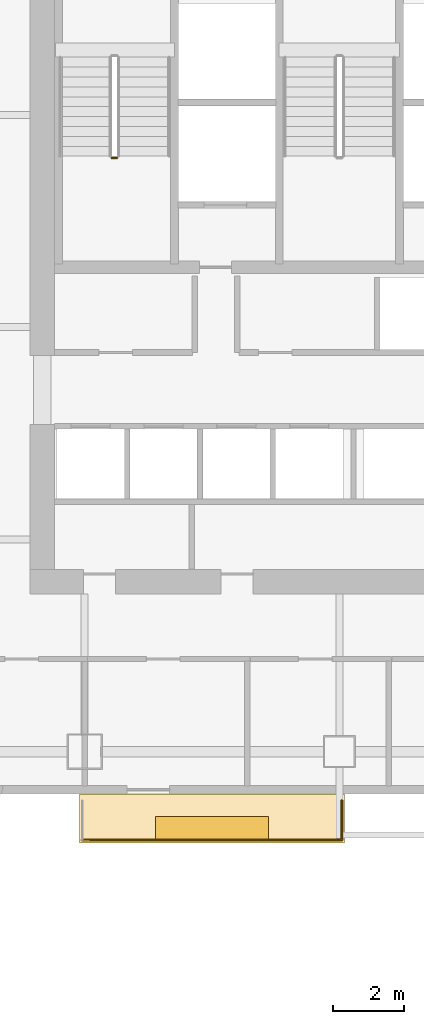
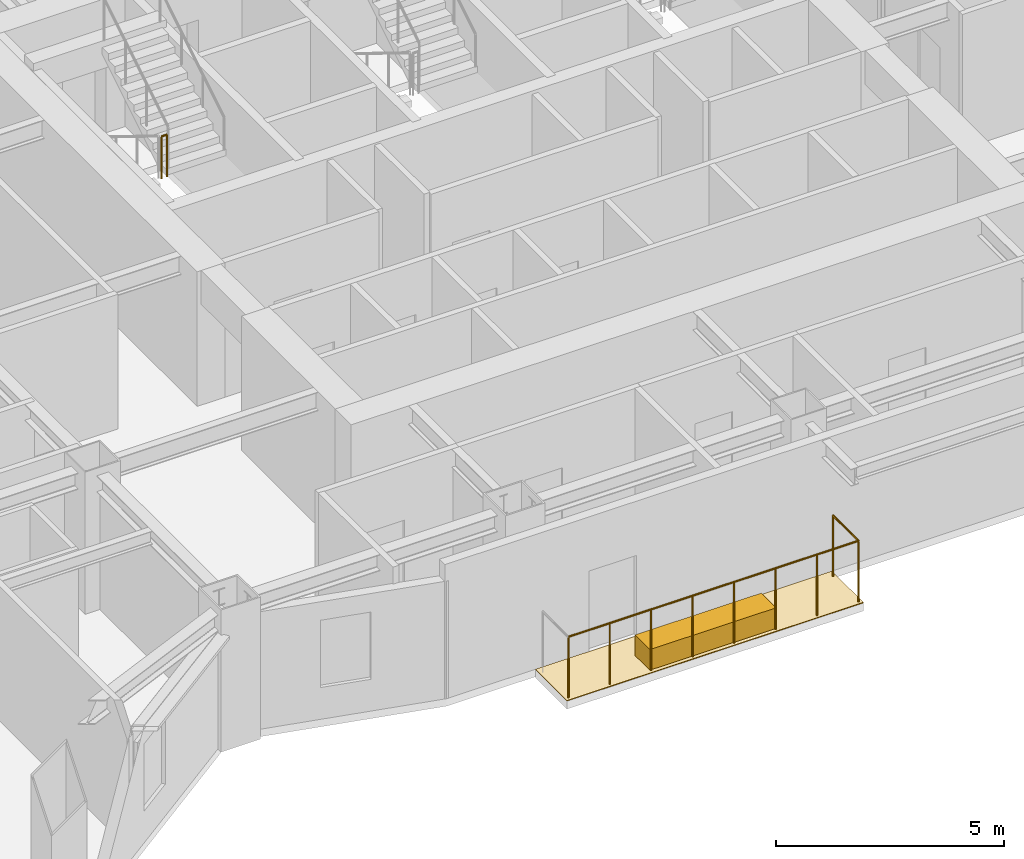
# One storey, part 14 of 16: 2 coverings, 2 railings.
"""IFC4 building model written with IfcOpenShell, lengths in metres."""

import ifcopenshell
import ifcopenshell.guid

model = None  # the IFC model being written
_history = None  # IfcOwnerHistory: only IFC2X3 demands one
_inside = {}  # id of a spatial element -> (the spatial element, [elements in it])
_under = {}  # id of a project, library or spatial element -> (it, [spatial elements below it])
_declared = {}  # id of a project -> (the project, [libraries it declares])
_typed = {}  # id of a type object -> (the type object, [elements of that type])
_made_of = {}  # id of a material, layer set ... -> (it, [elements and type objects made of it])


def new_model(schema):
    """Start an empty IFC model of exactly this schema.

    Asked for "IFC4X3", IfcOpenShell would pick the latest addendum, in which some entities
    have other attributes; the version numbers below select the first issue.
    IFC2X3 requires an IfcOwnerHistory on every rooted entity: one is made here for all.
    """
    global model, _history
    if schema == "IFC4X3":
        model = ifcopenshell.file(schema_version=(4, 3, 0, 0))
    else:
        model = ifcopenshell.file(schema=schema)
    _inside.clear()
    _under.clear()
    _declared.clear()
    _typed.clear()
    _made_of.clear()
    _history = None
    if model.schema == "IFC2X3":
        org = make("IfcOrganization", Name="unknown")
        user = make(
            "IfcPersonAndOrganization",
            ThePerson=make("IfcPerson", FamilyName="unknown"),
            TheOrganization=org,
        )
        app = make(
            "IfcApplication",
            ApplicationDeveloper=org,
            Version="unknown",
            ApplicationFullName="unknown",
            ApplicationIdentifier="unknown",
        )
        _history = make(
            "IfcOwnerHistory",
            OwningUser=user,
            OwningApplication=app,
            ChangeAction="ADDED",
            CreationDate=0,
        )
    return model


def make(cls, **values):
    """One entity of the class cls with the attributes given. An attribute that is None is left unset."""
    return model.create_entity(
        cls, **{name: value for name, value in values.items() if value is not None}
    )


def rooted(cls, **values):
    """An entity with a GlobalId (a new one), such as an element, a storey or a relation."""
    return make(cls, GlobalId=ifcopenshell.guid.new(), OwnerHistory=_history, **values)


def si_unit(unit_type, name, prefix=None):
    """IfcSIUnit, for example si_unit("LENGTHUNIT", "METRE", prefix="MILLI")."""
    return make("IfcSIUnit", UnitType=unit_type, Prefix=prefix, Name=name)


def assignment(units):
    """IfcUnitAssignment: the units of a project."""
    return None if units is None else make("IfcUnitAssignment", Units=units)


def point(xyz):
    """IfcCartesianPoint."""
    return None if xyz is None else make("IfcCartesianPoint", Coordinates=xyz)


def direction(xyz):
    """IfcDirection."""
    return None if xyz is None else make("IfcDirection", DirectionRatios=xyz)


def frame(location, z_axis=None, x_axis=None):
    """IfcAxis2Placement3D, a coordinate frame: its origin and axes. An axis left out is left unset."""
    return make(
        "IfcAxis2Placement3D",
        Location=point(location),
        Axis=direction(z_axis),
        RefDirection=direction(x_axis),
    )


def frame_2d(location, x_axis=None):
    """IfcAxis2Placement2D, a coordinate frame in the plane: its origin and x axis."""
    return make(
        "IfcAxis2Placement2D", Location=point(location), RefDirection=direction(x_axis)
    )


def origin():
    """The frame at (0, 0, 0) with its axes left unset."""
    return frame((0.0, 0.0, 0.0))


def origin_2d():
    """The frame at (0, 0) in the plane with its x axis left unset."""
    return frame_2d((0.0, 0.0))


def place(relative_to, where):
    """IfcLocalPlacement: puts the frame where relative to a parent placement (None: the world)."""
    return make(
        "IfcLocalPlacement", PlacementRelTo=relative_to, RelativePlacement=where
    )


def context(
    kind, dimensions, precision=None, world=None, true_north=None, identifier=None
):
    """IfcGeometricRepresentationContext, for example the 3D "Model" context."""
    return make(
        "IfcGeometricRepresentationContext",
        ContextIdentifier=identifier,
        ContextType=kind,
        CoordinateSpaceDimension=dimensions,
        Precision=precision,
        WorldCoordinateSystem=world,
        TrueNorth=true_north,
    )


def subcontext(parent, identifier, kind, view, scale=None):
    """IfcGeometricRepresentationSubContext, for example "Body" below "Model"."""
    return make(
        "IfcGeometricRepresentationSubContext",
        ContextIdentifier=identifier,
        ContextType=kind,
        ParentContext=parent,
        TargetScale=scale,
        TargetView=view,
    )


def project(units=None, contexts=None):
    """IfcProject with its units and contexts."""
    return rooted(
        "IfcProject",
        Name="project",
        RepresentationContexts=contexts,
        UnitsInContext=assignment(units),
    )


def spatial(cls, under=None, at=None, **own):
    """A site, building, storey or space (cls), placed at a placement, below another one or the project."""
    s = rooted(cls, ObjectPlacement=at, **own)
    if under is not None:
        _under.setdefault(under.id(), (under, []))[1].append(s)
    return s


def polyline(points):
    """IfcPolyline through the points."""
    return make("IfcPolyline", Points=[point(p) for p in points])


def profile(cls, at=None, kind="AREA", **sizes):
    """A parametric profile (cls). Its sizes go by their IFC names, for example OverallWidth=200.0."""
    return make(cls, ProfileType=kind, Position=at, **sizes)


def rectangle(**sizes):
    """IfcRectangleProfileDef."""
    return profile("IfcRectangleProfileDef", **sizes)


def circle(**sizes):
    """IfcCircleProfileDef."""
    return profile("IfcCircleProfileDef", **sizes)


def outline(outer, holes=None, kind="AREA"):
    """IfcArbitraryClosedProfileDef: a profile drawn as a closed curve; with holes, ...WithVoids."""
    if holes is None:
        return make("IfcArbitraryClosedProfileDef", ProfileType=kind, OuterCurve=outer)
    return make(
        "IfcArbitraryProfileDefWithVoids",
        ProfileType=kind,
        OuterCurve=outer,
        InnerCurves=holes,
    )


def extrude(swept, where, along, depth):
    """IfcExtrudedAreaSolid: the profile swept, set in the frame where, extruded along a direction by depth."""
    return make(
        "IfcExtrudedAreaSolid",
        SweptArea=swept,
        Position=where,
        ExtrudedDirection=direction(along),
        Depth=depth,
    )


def shape(context_of_items, identifier, shape_type, items):
    """IfcShapeRepresentation: the items that make up one representation, for example the "Body"."""
    return make(
        "IfcShapeRepresentation",
        ContextOfItems=context_of_items,
        RepresentationIdentifier=identifier,
        RepresentationType=shape_type,
        Items=items,
    )


def material(Name=None, Category=None):
    """IfcMaterial."""
    return make("IfcMaterial", Name=Name, Category=Category)


def layer(
    of_material, thickness, ventilated=None, Name=None, Category=None, Priority=None
):
    """IfcMaterialLayer: one layer of a wall or slab, of a material (None: an air gap)."""
    return make(
        "IfcMaterialLayer",
        Material=of_material,
        LayerThickness=thickness,
        IsVentilated=ventilated,
        Name=Name,
        Category=Category,
        Priority=Priority,
    )


def layer_set(layers, Name=None):
    """IfcMaterialLayerSet."""
    return make("IfcMaterialLayerSet", MaterialLayers=layers, LayerSetName=Name)


def made_of(thing, what):
    """Note that an element or type object is made of a material, layer set ...; save() writes the relation."""
    if what is not None:
        _made_of.setdefault(what.id(), (what, []))[1].append(thing)
    return thing


def type_object(cls, material=None, **own):
    """A type object (cls), such as IfcWallType, which elements share."""
    return made_of(rooted(cls, **own), material)


def element(
    cls,
    number,
    at=None,
    inside=None,
    cuts=None,
    type_object=None,
    material=None,
    context=None,
    identifier="Body",
    shape_type=None,
    held_by="IfcProductDefinitionShape",
    body=None,
    shapes=None,
    **own,
):
    """One element of the class cls, such as IfcWall. Its Tag is "e" and its number.

    at: its placement. inside: the storey or other place that contains it. cuts: it is an
    opening in that element (IfcRelVoidsElement). A single representation is given by context,
    identifier, shape_type and body (its items); several are given by shapes. held_by: the class
    of the entity that holds the representations. save() writes the other relations.
    """
    e = rooted(cls, Tag="e%d" % number, ObjectPlacement=at, **own)
    if body is not None:
        shapes = [shape(context, identifier, shape_type, body)]
    if shapes is not None:
        e.Representation = make(held_by, Representations=shapes)
    if inside is not None:
        _inside.setdefault(inside.id(), (inside, []))[1].append(e)
    if cuts is not None:
        rooted(
            "IfcRelVoidsElement", RelatingBuildingElement=cuts, RelatedOpeningElement=e
        )
    if type_object is not None:
        _typed.setdefault(type_object.id(), (type_object, []))[1].append(e)
    return made_of(e, material)


def aggregate(whole, parts):
    """IfcRelAggregates: a whole, such as a stair, and the parts it consists of."""
    return rooted("IfcRelAggregates", RelatingObject=whole, RelatedObjects=parts)


def save(model, path):
    """Write the relations noted so far, then the file.

    IfcRelAggregates (storeys below a building ...), IfcRelContainedInSpatialStructure (elements
    in a storey), IfcRelDefinesByType, IfcRelAssociatesMaterial and IfcRelDeclares: one each for
    every whole, place, type object, material and project.
    """
    for whole, parts in _under.values():
        aggregate(whole, parts)
    for where, things in _inside.values():
        rooted(
            "IfcRelContainedInSpatialStructure",
            RelatedElements=things,
            RelatingStructure=where,
        )
    for kind, things in _typed.values():
        rooted("IfcRelDefinesByType", RelatedObjects=things, RelatingType=kind)
    for what, things in _made_of.values():
        rooted("IfcRelAssociatesMaterial", RelatedObjects=things, RelatingMaterial=what)
    for by, libraries in _declared.values():
        rooted("IfcRelDeclares", RelatingContext=by, RelatedDefinitions=libraries)
    model.write(path)


model = new_model("IFC4")

# Units and contexts
model_context = context("Model", 3, precision=1e-05, world=origin(), true_north=direction((0.0, 1.0)))
body_context = subcontext(model_context, "Body", "Model", "MODEL_VIEW")
ifc_project = project(units=[si_unit("LENGTHUNIT", "METRE"), si_unit("AREAUNIT", "SQUARE_METRE"), si_unit("VOLUMEUNIT", "CUBIC_METRE"), si_unit("PLANEANGLEUNIT", "RADIAN"), si_unit("MASSUNIT", "GRAM", prefix="KILO")], contexts=[model_context])

# Site, building, storey
site_placement = place(None, origin())
site = spatial("IfcSite", under=ifc_project, at=site_placement, CompositionType="ELEMENT")
building_placement = place(site_placement, origin())
building = spatial("IfcBuilding", under=site, at=building_placement, Name="Haolan Belvedere Tower", CompositionType="ELEMENT")
storey_placement = place(building_placement, frame((0.0, 0.0, 125.0)))
storey = spatial("IfcBuildingStorey", under=building, at=storey_placement, Name="L31", CompositionType="ELEMENT", Elevation=125.0)

# Coverings
ifc_material_1 = material(Name="Engineered lightweight planted garden soil substrate", Category="masonry")
ifc_layer_1 = layer(ifc_material_1, 0.550048828125, Name="Engineered lightweight planted garden soil substrate")
ifc_layer_set_1 = layer_set([ifc_layer_1], Name="Engineered lightweight planted garden soil substrate")
covering_type_1 = type_object("IfcCoveringType", Name="COV-PLANT-550", PredefinedType="MEMBRANE", material=ifc_layer_set_1)
covering_1_placement = place(storey_placement, frame((34.800048828125, 19.43994140625, 0.0), z_axis=(0.0, 0.0, 1.0), x_axis=(1.0, 0.0, 0.0)))
element("IfcCovering", 1, at=covering_1_placement, inside=storey, type_object=covering_type_1, Name="L31 structural tree balcony PLANTER box 1", PredefinedType="MEMBRANE", context=body_context, shape_type="SweptSolid", body=[
    extrude(rectangle(XDim=3.199951171875, YDim=0.64990234375, at=origin_2d()), origin(), (0.0, 0.0, 1.0), 0.550048828125),
])
ifc_material_2 = material(Name="Elastomeric waterproof roofing membrane and stone pavers", Category="masonry")
ifc_layer_2 = layer(ifc_material_2, 0.02001953125, Name="Elastomeric waterproof roofing membrane and stone pavers")
ifc_layer_set_2 = layer_set([ifc_layer_2], Name="Elastomeric waterproof roofing membrane and stone pavers")
covering_type_2 = type_object("IfcCoveringType", Name="COV-ROOF-20", PredefinedType="ROOFING", material=ifc_layer_set_2)
covering_2_placement = place(storey_placement, frame((0.0, 0.0, -0.02001953125)))
element("IfcCovering", 2, at=covering_2_placement, inside=storey, type_object=covering_type_2, Name="L31 tree-balcony waterproof membrane 1", PredefinedType="ROOFING", context=body_context, shape_type="SweptSolid", body=[
    extrude(outline(polyline([(31.050048828125, 19.02001953125), (38.550048828125, 19.02001953125), (38.550048828125, 20.39990234375), (31.050048828125, 20.39990234375), (31.050048828125, 19.02001953125)])), origin(), (0.0, 0.0, 1.0), 0.02001953125),
])

# Railings
ifc_material_3 = material(Name="Brushed stainless steel 304", Category="steel")
railing_type_1 = type_object("IfcRailingType", Name="RL-STAIR-GRD-1150", PredefinedType="GUARDRAIL", material=ifc_material_3)
railing_1_placement = place(storey_placement, frame((31.969970703125, 38.3798828125, 1.89990234375)))
element("IfcRailing", 3, at=railing_1_placement, inside=storey, type_object=railing_type_1, Name="L31 ST1 stair guard 2", PredefinedType="GUARDRAIL", context=body_context, shape_type="SweptSolid", body=[
    extrude(circle(Radius=0.02392578125, at=origin_2d()), frame((0.0, 0.0, 1.1259765625), z_axis=(1.0, 0.0, 0.0), x_axis=(0.0, 1.0, 0.0)), (0.0, 0.0, 1.0), 0.14013671875),
    extrude(circle(Radius=0.02099609375, at=origin_2d()), origin(), (0.0, 0.0, 1.0), 1.101806640625),
    extrude(circle(Radius=0.02099609375, at=origin_2d()), frame((0.14013671875, 0.0, 0.0)), (0.0, 0.0, 1.0), 1.101806640625),
])
ifc_material_4 = material(Name="Anodised aluminium and laminated glass balustrade", Category="aluminium")
railing_type_2 = type_object("IfcRailingType", Name="RL-TER-BAL-1150", PredefinedType="BALUSTRADE", material=ifc_material_4)
railing_2_placement = place(storey_placement, frame((38.469970703125, 20.219970703125, 0.0)))
element("IfcRailing", 4, at=railing_2_placement, inside=storey, type_object=railing_type_2, Name="L31 outdoor perimeter balustrade BAL-L31-1-2", PredefinedType="BALUSTRADE", context=body_context, shape_type="SweptSolid", body=[
    extrude(circle(Radius=0.02392578125, at=origin_2d()), frame((0.0, 0.0, 1.6259765625), z_axis=(0.0, -1.0, 0.0), x_axis=(1.0, 0.0, 0.0)), (0.0, 0.0, 1.0), 1.119873046875),
    extrude(circle(Radius=0.02392578125, at=origin_2d()), frame((0.0, -1.119873046875, 1.6259765625), z_axis=(-1.0, 0.0, 0.0), x_axis=(0.0, -1.0, 0.0)), (0.0, 0.0, 1.0), 7.340087890625),
    extrude(circle(Radius=0.02099609375, at=origin_2d()), origin(), (0.0, 0.0, 1.0), 1.601806640625),
    extrude(circle(Radius=0.02099609375, at=origin_2d()), frame((0.0, -1.119873046875, 0.0)), (0.0, 0.0, 1.0), 1.601806640625),
    extrude(circle(Radius=0.02099609375, at=origin_2d()), frame((-1.048583984375, -1.119873046875, 0.0)), (0.0, 0.0, 1.0), 1.601806640625),
    extrude(circle(Radius=0.02099609375, at=origin_2d()), frame((-2.09716796875, -1.119873046875, 0.0)), (0.0, 0.0, 1.0), 1.601806640625),
    extrude(circle(Radius=0.02099609375, at=origin_2d()), frame((-3.145751953125, -1.119873046875, 0.0)), (0.0, 0.0, 1.0), 1.601806640625),
    extrude(circle(Radius=0.02099609375, at=origin_2d()), frame((-4.1943359375, -1.119873046875, 0.0)), (0.0, 0.0, 1.0), 1.601806640625),
    extrude(circle(Radius=0.02099609375, at=origin_2d()), frame((-5.242919921875, -1.119873046875, 0.0)), (0.0, 0.0, 1.0), 1.601806640625),
    extrude(circle(Radius=0.02099609375, at=origin_2d()), frame((-6.29150390625, -1.119873046875, 0.0)), (0.0, 0.0, 1.0), 1.601806640625),
    extrude(circle(Radius=0.02099609375, at=origin_2d()), frame((-7.340087890625, -1.119873046875, 0.0)), (0.0, 0.0, 1.0), 1.601806640625),
])

save(model, "model.ifc")
